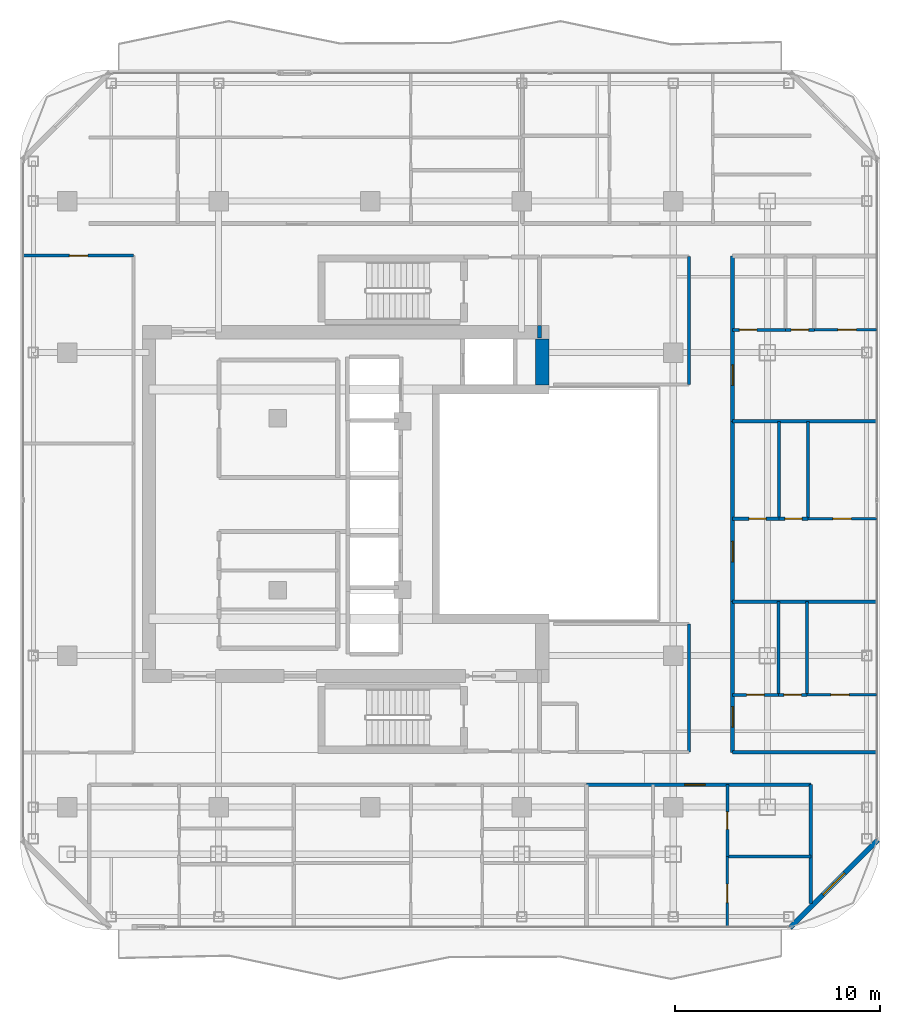
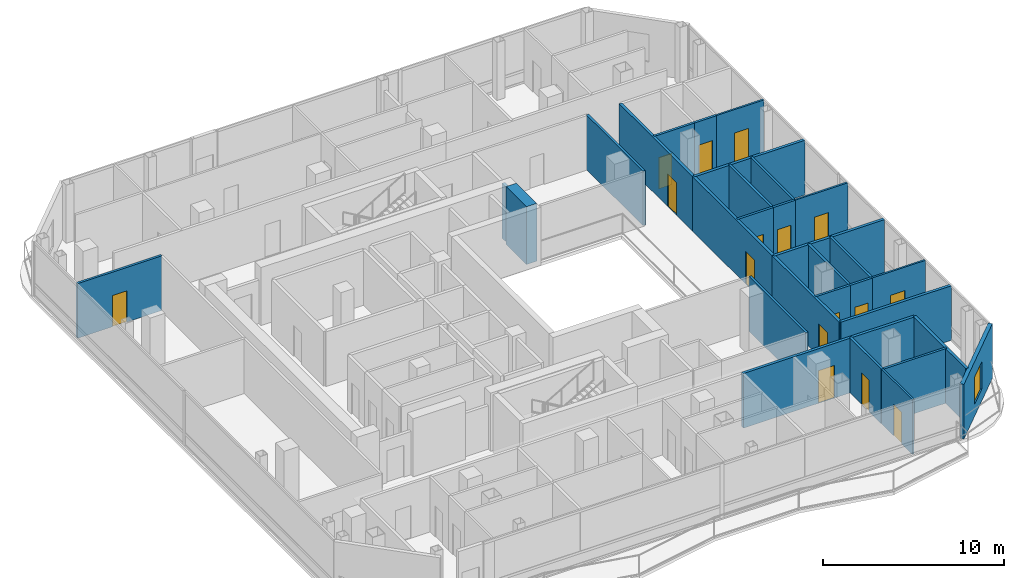
# One storey, part 19 of 24: 30 walls, 16 doors, 1 window, 17 openings.
"""IFC4 building model written with IfcOpenShell, lengths in metres."""

from ifc_helpers import new_model, si_unit, direction, frame, frame_2d, origin, place, context, subcontext, project, spatial, rectangle, extrude, material, layer, layer_set, type_object, element, fill, save


model = new_model("IFC4")

# Units and contexts
model_context = context("Model", 3, precision=1e-05, world=origin(), true_north=direction((0.0, 1.0)))
body_context = subcontext(model_context, "Body", "Model", "MODEL_VIEW")
ifc_project = project(units=[si_unit("LENGTHUNIT", "METRE"), si_unit("AREAUNIT", "SQUARE_METRE"), si_unit("VOLUMEUNIT", "CUBIC_METRE"), si_unit("PLANEANGLEUNIT", "RADIAN"), si_unit("MASSUNIT", "GRAM", prefix="KILO")], contexts=[model_context])

# Site, building, storey
site_placement = place(None, origin())
site = spatial("IfcSite", under=ifc_project, at=site_placement, CompositionType="ELEMENT")
building_placement = place(site_placement, origin())
building = spatial("IfcBuilding", under=site, at=building_placement, Name="Khorvyn Point Tower", CompositionType="ELEMENT")
storey_placement = place(building_placement, frame((0.0, 0.0, 266.39990234375)))
storey = spatial("IfcBuildingStorey", under=building, at=storey_placement, Name="L65", CompositionType="ELEMENT", Elevation=266.39990234375)

# Wall, opening, door
ifc_material_1 = material(Name="Double acoustic gypsum on twin steel stud", Category="steel")
ifc_layer_1 = layer(ifc_material_1, 0.179931640625)
ifc_layer_set_1 = layer_set([ifc_layer_1], Name="Acoustic Double-Stud Apartment Demising Wall 180")
wall_type_1 = type_object("IfcWallType", Name="Acoustic Double-Stud Apartment Demising Wall 180", PredefinedType="PARTITIONING", material=ifc_layer_set_1)
wall_1_placement = place(storey_placement, frame((10.56591796875, -13.699951171875, 0.0), z_axis=(0.0, 0.0, 1.0), x_axis=(1.0, 0.0, 0.0)))
wall_1 = element("IfcWall", 1, at=wall_1_placement, inside=storey, type_object=wall_type_1, Name="Wall", PredefinedType="PARTITIONING", context=body_context, shape_type="SweptSolid", body=[
    extrude(rectangle(XDim=10.9541015625, YDim=0.179931640625, at=frame_2d((5.47705078125, 0.0))), origin(), (0.0, 0.0, 1.0), 3.68017578125),
])
opening_1_placement = place(wall_1_placement, frame((4.798583984375, 0.0, 0.0)))
opening_1 = element("IfcOpeningElement", 2, at=opening_1_placement, cuts=wall_1, Name="Opening ID-AP60", PredefinedType="OPENING", context=body_context, shape_type="SweptSolid", body=[
    extrude(rectangle(XDim=1.0, YDim=2.199951171875, at=frame_2d((0.5, 1.10009765625))), frame((0.0, 0.099853515625, 0.0), z_axis=(0.0, -1.0, 0.0), x_axis=(1.0, 0.0, 0.0)), (0.0, 0.0, 1.0), 0.199951171875),
])
ifc_material_2 = material(Name="Engineered hardwood fire-rated leaf", Category="wood")
door_type_1 = type_object("IfcDoorType", Name="Acoustic Solid-Core Timber Apartment Entrance Door 1000x2200", OperationType="NOTDEFINED", PredefinedType="DOOR", material=ifc_material_2)
door_1_placement = place(opening_1_placement, origin())
door_1 = element("IfcDoor", 3, at=door_1_placement, inside=storey, type_object=door_type_1, Name="Door", OperationType="SINGLE_SWING_RIGHT", OverallHeight=2.199951171875, OverallWidth=1.0, PredefinedType="DOOR", context=body_context, shape_type="SweptSolid", body=[
    extrude(rectangle(XDim=1.0, YDim=2.199951171875, at=frame_2d((0.5, 1.10009765625))), frame((0.0, 0.02490234375, 0.0), z_axis=(0.0, -1.0, 0.0), x_axis=(1.0, 0.0, 0.0)), (0.0, 0.0, 1.0), 0.050048828125),
])
fill(opening_1, door_1)

wall_2_placement = place(storey_placement, frame((17.699951171875, -12.1201171875, 0.0), z_axis=(0.0, 0.0, 1.0), x_axis=(0.0, 1.0, 0.0)))
wall_2 = element("IfcWall", 4, at=wall_2_placement, inside=storey, type_object=wall_type_1, Name="Wall", PredefinedType="PARTITIONING", context=body_context, shape_type="SweptSolid", body=[
    extrude(rectangle(XDim=7.35302734375, YDim=0.179931640625, at=frame_2d((3.676513671875, 0.0))), origin(), (0.0, 0.0, 1.0), 3.68017578125),
])
opening_2_placement = place(wall_2_placement, frame((1.224609375, 0.0, 0.0)))
opening_2 = element("IfcOpeningElement", 5, at=opening_2_placement, cuts=wall_2, Name="Opening ID-AP60", PredefinedType="OPENING", context=body_context, shape_type="SweptSolid", body=[
    extrude(rectangle(XDim=1.0, YDim=2.199951171875, at=frame_2d((0.5, 1.10009765625))), frame((0.0, 0.099853515625, 0.0), z_axis=(0.0, -1.0, 0.0), x_axis=(1.0, 0.0, 0.0)), (0.0, 0.0, 1.0), 0.199951171875),
])
door_2_placement = place(opening_2_placement, origin())
door_2 = element("IfcDoor", 6, at=door_2_placement, inside=storey, type_object=door_type_1, Name="Door", OperationType="SINGLE_SWING_LEFT", OverallHeight=2.199951171875, OverallWidth=1.0, PredefinedType="DOOR", context=body_context, shape_type="SweptSolid", body=[
    extrude(rectangle(XDim=1.0, YDim=2.199951171875, at=frame_2d((0.5, 1.10009765625))), frame((0.0, 0.02490234375, 0.0), z_axis=(0.0, -1.0, 0.0), x_axis=(1.0, 0.0, 0.0)), (0.0, 0.0, 1.0), 0.050048828125),
])
fill(opening_2, door_2)

wall_3_placement = place(storey_placement, frame((17.699951171875, -4.76708984375, 0.0), z_axis=(0.0, 0.0, 1.0), x_axis=(0.0, 1.0, 0.0)))
wall_3 = element("IfcWall", 7, at=wall_3_placement, inside=storey, type_object=wall_type_1, Name="Wall", PredefinedType="PARTITIONING", context=body_context, shape_type="SweptSolid", body=[
    extrude(rectangle(XDim=8.80712890625, YDim=0.179931640625, at=frame_2d((4.403564453125, 0.0))), origin(), (0.0, 0.0, 1.0), 3.68017578125),
])
opening_3_placement = place(wall_3_placement, frame((1.942626953125, 0.0, 0.0)))
opening_3 = element("IfcOpeningElement", 8, at=opening_3_placement, cuts=wall_3, Name="Opening ID-AP60", PredefinedType="OPENING", context=body_context, shape_type="SweptSolid", body=[
    extrude(rectangle(XDim=1.0, YDim=2.199951171875, at=frame_2d((0.5, 1.10009765625))), frame((0.0, 0.099853515625, 0.0), z_axis=(0.0, -1.0, 0.0), x_axis=(1.0, 0.0, 0.0)), (0.0, 0.0, 1.0), 0.199951171875),
])
door_3_placement = place(opening_3_placement, origin())
door_3 = element("IfcDoor", 9, at=door_3_placement, inside=storey, type_object=door_type_1, Name="Door", OperationType="SINGLE_SWING_LEFT", OverallHeight=2.199951171875, OverallWidth=1.0, PredefinedType="DOOR", context=body_context, shape_type="SweptSolid", body=[
    extrude(rectangle(XDim=1.0, YDim=2.199951171875, at=frame_2d((0.5, 1.10009765625))), frame((0.0, 0.02490234375, 0.0), z_axis=(0.0, -1.0, 0.0), x_axis=(1.0, 0.0, 0.0)), (0.0, 0.0, 1.0), 0.050048828125),
])
fill(opening_3, door_3)

wall_4_placement = place(storey_placement, frame((17.699951171875, 4.0400390625, 0.0), z_axis=(0.0, 0.0, 1.0), x_axis=(0.0, 1.0, 0.0)))
wall_4 = element("IfcWall", 10, at=wall_4_placement, inside=storey, type_object=wall_type_1, Name="Wall", PredefinedType="PARTITIONING", context=body_context, shape_type="SweptSolid", body=[
    extrude(rectangle(XDim=8.080078125, YDim=0.179931640625, at=frame_2d((4.0400390625, 0.0))), origin(), (0.0, 0.0, 1.0), 3.68017578125),
])
opening_4_placement = place(wall_4_placement, frame((1.760986328125, 0.0, 0.0)))
opening_4 = element("IfcOpeningElement", 11, at=opening_4_placement, cuts=wall_4, Name="Opening ID-AP60", PredefinedType="OPENING", context=body_context, shape_type="SweptSolid", body=[
    extrude(rectangle(XDim=1.0, YDim=2.199951171875, at=frame_2d((0.5, 1.10009765625))), frame((0.0, 0.099853515625, 0.0), z_axis=(0.0, -1.0, 0.0), x_axis=(1.0, 0.0, 0.0)), (0.0, 0.0, 1.0), 0.199951171875),
])
door_4_placement = place(opening_4_placement, origin())
door_4 = element("IfcDoor", 12, at=door_4_placement, inside=storey, type_object=door_type_1, Name="Door", OperationType="SINGLE_SWING_LEFT", OverallHeight=2.199951171875, OverallWidth=1.0, PredefinedType="DOOR", context=body_context, shape_type="SweptSolid", body=[
    extrude(rectangle(XDim=1.0, YDim=2.199951171875, at=frame_2d((0.5, 1.10009765625))), frame((0.0, 0.02490234375, 0.0), z_axis=(0.0, -1.0, 0.0), x_axis=(1.0, 0.0, 0.0)), (0.0, 0.0, 1.0), 0.050048828125),
])
fill(opening_4, door_4)

# Walls
wall_5_placement = place(storey_placement, frame((21.52001953125, -19.510009765625, 0.0), z_axis=(0.0, 0.0, 1.0), x_axis=(0.0, 1.0, 0.0)))
element("IfcWall", 13, at=wall_5_placement, inside=storey, type_object=wall_type_1, Name="Wall", PredefinedType="PARTITIONING", context=body_context, shape_type="SweptSolid", body=[
    extrude(rectangle(XDim=5.81005859375, YDim=0.179931640625, at=frame_2d((2.905029296875, 0.0))), origin(), (0.0, 0.0, 1.0), 3.68017578125),
])
for number, where, z_axis, x_axis, name in (
    (14, (17.699951171875, -4.76708984375, 0.0), (0.0, 0.0, 1.0), (1.0, 0.0, 0.0), "Wall"),
    (15, (17.699951171875, 4.0400390625, 0.0), (0.0, 0.0, 1.0), (1.0, 0.0, 0.0), "Wall"),
    (16, (17.699951171875, -12.1201171875, 0.0), (0.0, 0.0, 1.0), (1.0, 0.0, 0.0), "Wall"),
):
    element("IfcWall", number, at=place(storey_placement, frame(where, z_axis=z_axis, x_axis=x_axis)), inside=storey, type_object=wall_type_1, Name=name, PredefinedType="PARTITIONING", context=body_context, shape_type="SweptSolid", body=[
        extrude(rectangle(XDim=7.030029296875, YDim=0.179931640625, at=frame_2d((3.51513671875, 0.0))), origin(), (0.0, 0.0, 1.0), 3.68017578125),
    ])

# Wall, opening, window
ifc_material_3 = material(Name="Pale anodised aluminium rainscreen on steel stud", Category="steel")
ifc_layer_2 = layer(ifc_material_3, 0.239990234375)
ifc_layer_set_2 = layer_set([ifc_layer_2], Name="Anodised Aluminium Insulated Corner Spandrel Wall 240")
wall_type_2 = type_object("IfcWallType", Name="Anodised Aluminium Insulated Corner Spandrel Wall 240", PredefinedType="SOLIDWALL", material=ifc_layer_set_2)
wall_6_placement = place(storey_placement, frame((24.79248046875, -16.40771484375, 0.0), z_axis=(0.0, 0.0, 1.0), x_axis=(-0.707126925818, -0.707086635981, 0.0)))
wall_6 = element("IfcWall", 17, at=wall_6_placement, inside=storey, type_object=wall_type_2, Name="L65 Rounded Corner Wall SE", PredefinedType="SOLIDWALL", context=body_context, shape_type="SweptSolid", body=[
    extrude(rectangle(XDim=6.0595703125, YDim=0.239990234375, at=frame_2d((3.02978515625, 0.0))), origin(), (0.0, 0.0, 1.0), 3.68017578125),
])
opening_5_placement = place(wall_6_placement, frame((2.27978515625, 0.0, 0.800048828125)))
opening_5 = element("IfcOpeningElement", 18, at=opening_5_placement, cuts=wall_6, Name="Opening WN-1518", PredefinedType="OPENING", context=body_context, shape_type="SweptSolid", body=[
    extrude(rectangle(XDim=1.5, YDim=1.85009765625, at=frame_2d((0.75, 0.925048828125))), frame((0.0, 0.1298828125, 0.0), z_axis=(0.0, -1.0, 0.0), x_axis=(1.0, 0.0, 0.0)), (0.0, 0.0, 1.0), 0.260009765625),
])
ifc_material_4 = material(Name="Anodised aluminium 6063-T6 and laminated Low-E glass", Category="aluminium")
window_type = type_object("IfcWindowType", Name="Anodised Aluminium Rounded-Corner Panoramic Window 1500x1850", PartitioningType="SINGLE_PANEL", PredefinedType="WINDOW", material=ifc_material_4)
window_placement = place(opening_5_placement, origin())
window = element("IfcWindow", 19, at=window_placement, inside=storey, type_object=window_type, Name="L65 Corner Panoramic Window SE", OverallHeight=1.85009765625, OverallWidth=1.5, PartitioningType="SINGLE_PANEL", PredefinedType="WINDOW", context=body_context, shape_type="SweptSolid", body=[
    extrude(rectangle(XDim=1.5, YDim=1.85009765625, at=frame_2d((0.75, 0.925048828125))), frame((0.0, 0.030029296875, 0.0), z_axis=(0.0, -1.0, 0.0), x_axis=(1.0, 0.0, 0.0)), (0.0, 0.0, 1.0), 0.06005859375),
])
fill(opening_5, window)

# Walls
ifc_material_5 = material(Name="Concrete C40/50", Category="concrete")
ifc_layer_3 = layer(ifc_material_5, 0.64990234375)
ifc_layer_set_3 = layer_set([ifc_layer_3], Name="Concrete C40/50 Core Shear Wall 650")
wall_type_3 = type_object("IfcWallType", Name="Concrete C40/50 Core Shear Wall 650", PredefinedType="SHEAR", material=ifc_layer_set_3)
wall_7_placement = place(storey_placement, frame((8.39990234375, 5.824951171875, 0.0), z_axis=(0.0, 0.0, 1.0), x_axis=(0.0, 1.0, 0.0)))
element("IfcWall", 20, at=wall_7_placement, inside=storey, type_object=wall_type_3, Name="Wall", PredefinedType="SHEAR", context=body_context, shape_type="SweptSolid", body=[
    extrude(rectangle(XDim=2.25, YDim=0.64990234375, at=frame_2d((1.125, 0.0))), origin(), (0.0, 0.0, 1.0), 3.900146484375),
])
ifc_layer_4 = layer(ifc_material_5, 0.199951171875)
ifc_layer_set_4 = layer_set([ifc_layer_4], Name="Concrete C40/50 Fire-Lobby Compartment Wall 200")
wall_type_4 = type_object("IfcWallType", Name="Concrete C40/50 Fire-Lobby Compartment Wall 200", PredefinedType="SOLIDWALL", material=ifc_layer_set_4)
wall_8_placement = place(storey_placement, frame((8.280029296875, 8.10009765625, 0.0), z_axis=(0.0, 0.0, 1.0), x_axis=(0.0, 1.0, 0.0)))
element("IfcWall", 21, at=wall_8_placement, inside=storey, type_object=wall_type_4, Name="Wall", PredefinedType="SOLIDWALL", context=body_context, shape_type="SweptSolid", body=[
    extrude(rectangle(XDim=0.625, YDim=0.199951171875, at=frame_2d((0.3125, 0.0))), origin(), (0.0, 0.0, 1.0), 3.68017578125),
])

# Wall, opening, door
ifc_material_6 = material(Name="Gypsum plasterboard on steel stud", Category="steel")
ifc_layer_5 = layer(ifc_material_6, 0.1201171875)
ifc_layer_set_5 = layer_set([ifc_layer_5], Name="Gypsum Acoustic Stud Room Partition Wall 120")
wall_type_5 = type_object("IfcWallType", Name="Gypsum Acoustic Stud Room Partition Wall 120", PredefinedType="PARTITIONING", material=ifc_layer_set_5)
wall_9_placement = place(storey_placement, frame((17.443115234375, -20.6298828125, 0.0), z_axis=(0.0, 0.0, 1.0), x_axis=(0.0, 1.0, 0.0)))
wall_9 = element("IfcWall", 22, at=wall_9_placement, inside=storey, type_object=wall_type_5, Name="Wall", PredefinedType="PARTITIONING", context=body_context, shape_type="SweptSolid", body=[
    extrude(rectangle(XDim=3.410888671875, YDim=0.1201171875, at=frame_2d((1.70556640625, 0.0))), origin(), (0.0, 0.0, 1.0), 3.68017578125),
])
opening_6_placement = place(wall_9_placement, frame((1.171142578125, 0.0, 0.0)))
opening_6 = element("IfcOpeningElement", 23, at=opening_6_placement, cuts=wall_9, Name="Opening ID-RM90", PredefinedType="OPENING", context=body_context, shape_type="SweptSolid", body=[
    extrude(rectangle(XDim=0.89990234375, YDim=2.10009765625, at=frame_2d((0.449951171875, 1.050048828125))), frame((0.0, 0.070068359375, 0.0), z_axis=(0.0, -1.0, 0.0), x_axis=(1.0, 0.0, 0.0)), (0.0, 0.0, 1.0), 0.14013671875),
])
ifc_material_7 = material(Name="Engineered oak veneer timber", Category="wood")
door_type_2 = type_object("IfcDoorType", Name="Flush Engineered Timber Room Door 900x2100", OperationType="NOTDEFINED", PredefinedType="DOOR", material=ifc_material_7)
door_5_placement = place(opening_6_placement, origin())
door_5 = element("IfcDoor", 24, at=door_5_placement, inside=storey, type_object=door_type_2, Name="Door", OperationType="SINGLE_SWING_RIGHT", OverallHeight=2.10009765625, OverallWidth=0.89990234375, PredefinedType="DOOR", context=body_context, shape_type="SweptSolid", body=[
    extrude(rectangle(XDim=0.89990234375, YDim=2.10009765625, at=frame_2d((0.449951171875, 1.050048828125))), frame((0.0, 0.02490234375, 0.0), z_axis=(0.0, -1.0, 0.0), x_axis=(1.0, 0.0, 0.0)), (0.0, 0.0, 1.0), 0.050048828125),
])
fill(opening_6, door_5)

wall_10_placement = place(storey_placement, frame((21.3330078125, -9.320068359375, 0.0), z_axis=(0.0, 0.0, 1.0), x_axis=(1.0, 0.0, 0.0)))
wall_10 = element("IfcWall", 25, at=wall_10_placement, inside=storey, type_object=wall_type_5, Name="Wall", PredefinedType="PARTITIONING", context=body_context, shape_type="SweptSolid", body=[
    extrude(rectangle(XDim=3.39697265625, YDim=0.1201171875, at=frame_2d((1.698486328125, 0.0))), origin(), (0.0, 0.0, 1.0), 3.68017578125),
])
opening_7_placement = place(wall_10_placement, frame((1.164794921875, 0.0, 0.0)))
opening_7 = element("IfcOpeningElement", 26, at=opening_7_placement, cuts=wall_10, Name="Opening ID-RM90", PredefinedType="OPENING", context=body_context, shape_type="SweptSolid", body=[
    extrude(rectangle(XDim=0.89990234375, YDim=2.10009765625, at=frame_2d((0.449951171875, 1.050048828125))), frame((0.0, 0.070068359375, 0.0), z_axis=(0.0, -1.0, 0.0), x_axis=(1.0, 0.0, 0.0)), (0.0, 0.0, 1.0), 0.14013671875),
])
door_6_placement = place(opening_7_placement, origin())
door_6 = element("IfcDoor", 27, at=door_6_placement, inside=storey, type_object=door_type_2, Name="Door", OperationType="SINGLE_SWING_RIGHT", OverallHeight=2.10009765625, OverallWidth=0.89990234375, PredefinedType="DOOR", context=body_context, shape_type="SweptSolid", body=[
    extrude(rectangle(XDim=0.89990234375, YDim=2.10009765625, at=frame_2d((0.449951171875, 1.050048828125))), frame((0.0, 0.02490234375, 0.0), z_axis=(0.0, -1.0, 0.0), x_axis=(1.0, 0.0, 0.0)), (0.0, 0.0, 1.0), 0.050048828125),
])
fill(opening_7, door_6)

wall_11_placement = place(storey_placement, frame((21.376953125, -0.716064453125, 0.0), z_axis=(0.0, 0.0, 1.0), x_axis=(1.0, 0.0, 0.0)))
wall_11 = element("IfcWall", 28, at=wall_11_placement, inside=storey, type_object=wall_type_5, Name="Wall", PredefinedType="PARTITIONING", context=body_context, shape_type="SweptSolid", body=[
    extrude(rectangle(XDim=3.35302734375, YDim=0.1201171875, at=frame_2d((1.676513671875, 0.0))), origin(), (0.0, 0.0, 1.0), 3.68017578125),
])
opening_8_placement = place(wall_11_placement, frame((1.2265625, 0.0, 0.0)))
opening_8 = element("IfcOpeningElement", 29, at=opening_8_placement, cuts=wall_11, Name="Opening ID-RM90", PredefinedType="OPENING", context=body_context, shape_type="SweptSolid", body=[
    extrude(rectangle(XDim=0.89990234375, YDim=2.10009765625, at=frame_2d((0.449951171875, 1.050048828125))), frame((0.0, 0.070068359375, 0.0), z_axis=(0.0, -1.0, 0.0), x_axis=(1.0, 0.0, 0.0)), (0.0, 0.0, 1.0), 0.14013671875),
])
door_7_placement = place(opening_8_placement, origin())
door_7 = element("IfcDoor", 30, at=door_7_placement, inside=storey, type_object=door_type_2, Name="Door", OperationType="SINGLE_SWING_RIGHT", OverallHeight=2.10009765625, OverallWidth=0.89990234375, PredefinedType="DOOR", context=body_context, shape_type="SweptSolid", body=[
    extrude(rectangle(XDim=0.89990234375, YDim=2.10009765625, at=frame_2d((0.449951171875, 1.050048828125))), frame((0.0, 0.02490234375, 0.0), z_axis=(0.0, -1.0, 0.0), x_axis=(1.0, 0.0, 0.0)), (0.0, 0.0, 1.0), 0.050048828125),
])
fill(opening_8, door_7)

wall_12_placement = place(storey_placement, frame((21.68994140625, 8.5048828125, 0.0), z_axis=(0.0, 0.0, 1.0), x_axis=(1.0, 0.0, 0.0)))
wall_12 = element("IfcWall", 31, at=wall_12_placement, inside=storey, type_object=wall_type_5, Name="Wall", PredefinedType="PARTITIONING", context=body_context, shape_type="SweptSolid", body=[
    extrude(rectangle(XDim=3.0400390625, YDim=0.1201171875, at=frame_2d((1.52001953125, 0.0))), origin(), (0.0, 0.0, 1.0), 3.68017578125),
])
opening_9_placement = place(wall_12_placement, frame((1.152587890625, 0.0, 0.0)))
opening_9 = element("IfcOpeningElement", 32, at=opening_9_placement, cuts=wall_12, Name="Opening ID-RM90", PredefinedType="OPENING", context=body_context, shape_type="SweptSolid", body=[
    extrude(rectangle(XDim=0.89990234375, YDim=2.10009765625, at=frame_2d((0.449951171875, 1.050048828125))), frame((0.0, 0.070068359375, 0.0), z_axis=(0.0, -1.0, 0.0), x_axis=(1.0, 0.0, 0.0)), (0.0, 0.0, 1.0), 0.14013671875),
])
door_8_placement = place(opening_9_placement, origin())
door_8 = element("IfcDoor", 33, at=door_8_placement, inside=storey, type_object=door_type_2, Name="Door", OperationType="SINGLE_SWING_RIGHT", OverallHeight=2.10009765625, OverallWidth=0.89990234375, PredefinedType="DOOR", context=body_context, shape_type="SweptSolid", body=[
    extrude(rectangle(XDim=0.89990234375, YDim=2.10009765625, at=frame_2d((0.449951171875, 1.050048828125))), frame((0.0, 0.02490234375, 0.0), z_axis=(0.0, -1.0, 0.0), x_axis=(1.0, 0.0, 0.0)), (0.0, 0.0, 1.0), 0.050048828125),
])
fill(opening_9, door_8)

ifc_material_8 = material(Name="Moisture-resistant gypsum and cement board", Category="gypsum")
ifc_layer_6 = layer(ifc_material_8, 0.14990234375)
ifc_layer_set_6 = layer_set([ifc_layer_6], Name="Moisture-Resistant Wet-Room Partition Wall 150")
wall_type_6 = type_object("IfcWallType", Name="Moisture-Resistant Wet-Room Partition Wall 150", PredefinedType="PARTITIONING", material=ifc_layer_set_6)
wall_13_placement = place(storey_placement, frame((17.443115234375, -17.218994140625, 0.0), z_axis=(0.0, 0.0, 1.0), x_axis=(0.0, 1.0, 0.0)))
wall_13 = element("IfcWall", 34, at=wall_13_placement, inside=storey, type_object=wall_type_6, Name="Wall", PredefinedType="PARTITIONING", context=body_context, shape_type="SweptSolid", body=[
    extrude(rectangle(XDim=3.51904296875, YDim=0.14990234375, at=frame_2d((1.759521484375, 0.0))), origin(), (0.0, 0.0, 1.0), 3.68017578125),
])
opening_10_placement = place(wall_13_placement, frame((1.33447265625, 0.0, 0.0)))
opening_10 = element("IfcOpeningElement", 35, at=opening_10_placement, cuts=wall_13, Name="Opening ID-WC85", PredefinedType="OPENING", context=body_context, shape_type="SweptSolid", body=[
    extrude(rectangle(XDim=0.85009765625, YDim=2.10009765625, at=frame_2d((0.425048828125, 1.050048828125))), frame((0.0, 0.0849609375, 0.0), z_axis=(0.0, -1.0, 0.0), x_axis=(1.0, 0.0, 0.0)), (0.0, 0.0, 1.0), 0.169921875),
])
ifc_material_9 = material(Name="High-pressure laminate on moisture-resistant core", Category="wood")
door_type_3 = type_object("IfcDoorType", Name="Moisture-Resistant Accessible Washroom Door 850x2100", OperationType="NOTDEFINED", PredefinedType="DOOR", material=ifc_material_9)
door_9_placement = place(opening_10_placement, origin())
door_9 = element("IfcDoor", 36, at=door_9_placement, inside=storey, type_object=door_type_3, Name="Door", OperationType="SINGLE_SWING_LEFT", OverallHeight=2.10009765625, OverallWidth=0.85009765625, PredefinedType="DOOR", context=body_context, shape_type="SweptSolid", body=[
    extrude(rectangle(XDim=0.85009765625, YDim=2.10009765625, at=frame_2d((0.425048828125, 1.050048828125))), frame((0.0, 0.02490234375, 0.0), z_axis=(0.0, -1.0, 0.0), x_axis=(1.0, 0.0, 0.0)), (0.0, 0.0, 1.0), 0.050048828125),
])
fill(opening_10, door_9)

wall_14_placement = place(storey_placement, frame((-16.929931640625, 12.139892578125, 0.0), z_axis=(0.0, 0.0, 1.0), x_axis=(1.0, 0.0, 0.0)))
wall_14 = element("IfcWall", 37, at=wall_14_placement, inside=storey, type_object=wall_type_6, Name="Wall", PredefinedType="PARTITIONING", context=body_context, shape_type="SweptSolid", body=[
    extrude(rectangle(XDim=5.3798828125, YDim=0.14990234375, at=frame_2d((2.68994140625, 0.0))), origin(), (0.0, 0.0, 1.0), 3.68017578125),
])
opening_11_placement = place(wall_14_placement, frame((2.239990234375, 0.0, 0.0)))
opening_11 = element("IfcOpeningElement", 38, at=opening_11_placement, cuts=wall_14, Name="Opening ID-RM90", PredefinedType="OPENING", context=body_context, shape_type="SweptSolid", body=[
    extrude(rectangle(XDim=0.89990234375, YDim=2.10009765625, at=frame_2d((0.449951171875, 1.050048828125))), frame((0.0, 0.0849609375, 0.0), z_axis=(0.0, -1.0, 0.0), x_axis=(1.0, 0.0, 0.0)), (0.0, 0.0, 1.0), 0.169921875),
])
door_10_placement = place(opening_11_placement, origin())
door_10 = element("IfcDoor", 39, at=door_10_placement, inside=storey, type_object=door_type_2, Name="Door", OperationType="SINGLE_SWING_RIGHT", OverallHeight=2.10009765625, OverallWidth=0.89990234375, PredefinedType="DOOR", context=body_context, shape_type="SweptSolid", body=[
    extrude(rectangle(XDim=0.89990234375, YDim=2.10009765625, at=frame_2d((0.449951171875, 1.050048828125))), frame((0.0, 0.02490234375, 0.0), z_axis=(0.0, -1.0, 0.0), x_axis=(1.0, 0.0, 0.0)), (0.0, 0.0, 1.0), 0.050048828125),
])
fill(opening_11, door_10)

wall_15_placement = place(storey_placement, frame((17.699951171875, -9.320068359375, 0.0), z_axis=(0.0, 0.0, 1.0), x_axis=(1.0, 0.0, 0.0)))
wall_15 = element("IfcWall", 40, at=wall_15_placement, inside=storey, type_object=wall_type_6, Name="Wall", PredefinedType="PARTITIONING", context=body_context, shape_type="SweptSolid", body=[
    extrude(rectangle(XDim=2.233154296875, YDim=0.14990234375, at=frame_2d((1.11669921875, 0.0))), origin(), (0.0, 0.0, 1.0), 3.68017578125),
])
opening_12_placement = place(wall_15_placement, frame((0.69140625, 0.0, 0.0)))
opening_12 = element("IfcOpeningElement", 41, at=opening_12_placement, cuts=wall_15, Name="Opening ID-WC85", PredefinedType="OPENING", context=body_context, shape_type="SweptSolid", body=[
    extrude(rectangle(XDim=0.85009765625, YDim=2.10009765625, at=frame_2d((0.425048828125, 1.050048828125))), frame((0.0, 0.0849609375, 0.0), z_axis=(0.0, -1.0, 0.0), x_axis=(1.0, 0.0, 0.0)), (0.0, 0.0, 1.0), 0.169921875),
])
door_11_placement = place(opening_12_placement, origin())
door_11 = element("IfcDoor", 42, at=door_11_placement, inside=storey, type_object=door_type_3, Name="Door", OperationType="SINGLE_SWING_RIGHT", OverallHeight=2.10009765625, OverallWidth=0.85009765625, PredefinedType="DOOR", context=body_context, shape_type="SweptSolid", body=[
    extrude(rectangle(XDim=0.85009765625, YDim=2.10009765625, at=frame_2d((0.425048828125, 1.050048828125))), frame((0.0, 0.02490234375, 0.0), z_axis=(0.0, -1.0, 0.0), x_axis=(1.0, 0.0, 0.0)), (0.0, 0.0, 1.0), 0.050048828125),
])
fill(opening_12, door_11)

wall_16_placement = place(storey_placement, frame((19.93310546875, -9.320068359375, 0.0), z_axis=(0.0, 0.0, 1.0), x_axis=(1.0, 0.0, 0.0)))
wall_16 = element("IfcWall", 43, at=wall_16_placement, inside=storey, type_object=wall_type_6, Name="Wall", PredefinedType="PARTITIONING", context=body_context, shape_type="SweptSolid", body=[
    extrude(rectangle(XDim=1.39990234375, YDim=0.14990234375, at=frame_2d((0.699951171875, 0.0))), origin(), (0.0, 0.0, 1.0), 3.68017578125),
])
opening_13_placement = place(wall_16_placement, frame((0.27490234375, 0.0, 0.0)))
opening_13 = element("IfcOpeningElement", 44, at=opening_13_placement, cuts=wall_16, Name="Opening ID-WC85", PredefinedType="OPENING", context=body_context, shape_type="SweptSolid", body=[
    extrude(rectangle(XDim=0.85009765625, YDim=2.10009765625, at=frame_2d((0.425048828125, 1.050048828125))), frame((0.0, 0.0849609375, 0.0), z_axis=(0.0, -1.0, 0.0), x_axis=(1.0, 0.0, 0.0)), (0.0, 0.0, 1.0), 0.169921875),
])
door_12_placement = place(opening_13_placement, origin())
door_12 = element("IfcDoor", 45, at=door_12_placement, inside=storey, type_object=door_type_3, Name="Door", OperationType="SINGLE_SWING_LEFT", OverallHeight=2.10009765625, OverallWidth=0.85009765625, PredefinedType="DOOR", context=body_context, shape_type="SweptSolid", body=[
    extrude(rectangle(XDim=0.85009765625, YDim=2.10009765625, at=frame_2d((0.425048828125, 1.050048828125))), frame((0.0, 0.02490234375, 0.0), z_axis=(0.0, -1.0, 0.0), x_axis=(1.0, 0.0, 0.0)), (0.0, 0.0, 1.0), 0.050048828125),
])
fill(opening_13, door_12)

wall_17_placement = place(storey_placement, frame((17.699951171875, -0.716064453125, 0.0), z_axis=(0.0, 0.0, 1.0), x_axis=(1.0, 0.0, 0.0)))
wall_17 = element("IfcWall", 46, at=wall_17_placement, inside=storey, type_object=wall_type_6, Name="Wall", PredefinedType="PARTITIONING", context=body_context, shape_type="SweptSolid", body=[
    extrude(rectangle(XDim=2.277099609375, YDim=0.14990234375, at=frame_2d((1.138671875, 0.0))), origin(), (0.0, 0.0, 1.0), 3.68017578125),
])
opening_14_placement = place(wall_17_placement, frame((0.79248046875, 0.0, 0.0)))
opening_14 = element("IfcOpeningElement", 47, at=opening_14_placement, cuts=wall_17, Name="Opening ID-WC85", PredefinedType="OPENING", context=body_context, shape_type="SweptSolid", body=[
    extrude(rectangle(XDim=0.85009765625, YDim=2.10009765625, at=frame_2d((0.425048828125, 1.050048828125))), frame((0.0, 0.0849609375, 0.0), z_axis=(0.0, -1.0, 0.0), x_axis=(1.0, 0.0, 0.0)), (0.0, 0.0, 1.0), 0.169921875),
])
door_13_placement = place(opening_14_placement, origin())
door_13 = element("IfcDoor", 48, at=door_13_placement, inside=storey, type_object=door_type_3, Name="Door", OperationType="SINGLE_SWING_RIGHT", OverallHeight=2.10009765625, OverallWidth=0.85009765625, PredefinedType="DOOR", context=body_context, shape_type="SweptSolid", body=[
    extrude(rectangle(XDim=0.85009765625, YDim=2.10009765625, at=frame_2d((0.425048828125, 1.050048828125))), frame((0.0, 0.02490234375, 0.0), z_axis=(0.0, -1.0, 0.0), x_axis=(1.0, 0.0, 0.0)), (0.0, 0.0, 1.0), 0.050048828125),
])
fill(opening_14, door_13)

wall_18_placement = place(storey_placement, frame((19.97705078125, -0.716064453125, 0.0), z_axis=(0.0, 0.0, 1.0), x_axis=(1.0, 0.0, 0.0)))
wall_18 = element("IfcWall", 49, at=wall_18_placement, inside=storey, type_object=wall_type_6, Name="Wall", PredefinedType="PARTITIONING", context=body_context, shape_type="SweptSolid", body=[
    extrude(rectangle(XDim=1.39990234375, YDim=0.14990234375, at=frame_2d((0.699951171875, 0.0))), origin(), (0.0, 0.0, 1.0), 3.68017578125),
])
opening_15_placement = place(wall_18_placement, frame((0.27490234375, 0.0, 0.0)))
opening_15 = element("IfcOpeningElement", 50, at=opening_15_placement, cuts=wall_18, Name="Opening ID-WC85", PredefinedType="OPENING", context=body_context, shape_type="SweptSolid", body=[
    extrude(rectangle(XDim=0.85009765625, YDim=2.10009765625, at=frame_2d((0.425048828125, 1.050048828125))), frame((0.0, 0.0849609375, 0.0), z_axis=(0.0, -1.0, 0.0), x_axis=(1.0, 0.0, 0.0)), (0.0, 0.0, 1.0), 0.169921875),
])
door_14_placement = place(opening_15_placement, origin())
door_14 = element("IfcDoor", 51, at=door_14_placement, inside=storey, type_object=door_type_3, Name="Door", OperationType="SINGLE_SWING_LEFT", OverallHeight=2.10009765625, OverallWidth=0.85009765625, PredefinedType="DOOR", context=body_context, shape_type="SweptSolid", body=[
    extrude(rectangle(XDim=0.85009765625, YDim=2.10009765625, at=frame_2d((0.425048828125, 1.050048828125))), frame((0.0, 0.02490234375, 0.0), z_axis=(0.0, -1.0, 0.0), x_axis=(1.0, 0.0, 0.0)), (0.0, 0.0, 1.0), 0.050048828125),
])
fill(opening_15, door_14)

wall_19_placement = place(storey_placement, frame((17.699951171875, 8.5048828125, 0.0), z_axis=(0.0, 0.0, 1.0), x_axis=(1.0, 0.0, 0.0)))
wall_19 = element("IfcWall", 52, at=wall_19_placement, inside=storey, type_object=wall_type_6, Name="Wall", PredefinedType="PARTITIONING", context=body_context, shape_type="SweptSolid", body=[
    extrude(rectangle(XDim=2.590087890625, YDim=0.14990234375, at=frame_2d((1.294921875, 0.0))), origin(), (0.0, 0.0, 1.0), 3.68017578125),
])
opening_16_placement = place(wall_19_placement, frame((0.33740234375, 0.0, 0.0)))
opening_16 = element("IfcOpeningElement", 53, at=opening_16_placement, cuts=wall_19, Name="Opening ID-WC85", PredefinedType="OPENING", context=body_context, shape_type="SweptSolid", body=[
    extrude(rectangle(XDim=0.85009765625, YDim=2.10009765625, at=frame_2d((0.425048828125, 1.050048828125))), frame((0.0, 0.0849609375, 0.0), z_axis=(0.0, -1.0, 0.0), x_axis=(1.0, 0.0, 0.0)), (0.0, 0.0, 1.0), 0.169921875),
])
door_15_placement = place(opening_16_placement, origin())
door_15 = element("IfcDoor", 54, at=door_15_placement, inside=storey, type_object=door_type_3, Name="Door", OperationType="SINGLE_SWING_RIGHT", OverallHeight=2.10009765625, OverallWidth=0.85009765625, PredefinedType="DOOR", context=body_context, shape_type="SweptSolid", body=[
    extrude(rectangle(XDim=0.85009765625, YDim=2.10009765625, at=frame_2d((0.425048828125, 1.050048828125))), frame((0.0, 0.02490234375, 0.0), z_axis=(0.0, -1.0, 0.0), x_axis=(1.0, 0.0, 0.0)), (0.0, 0.0, 1.0), 0.050048828125),
])
fill(opening_16, door_15)

wall_20_placement = place(storey_placement, frame((20.2900390625, 8.5048828125, 0.0), z_axis=(0.0, 0.0, 1.0), x_axis=(1.0, 0.0, 0.0)))
wall_20 = element("IfcWall", 55, at=wall_20_placement, inside=storey, type_object=wall_type_6, Name="Wall", PredefinedType="PARTITIONING", context=body_context, shape_type="SweptSolid", body=[
    extrude(rectangle(XDim=1.39990234375, YDim=0.14990234375, at=frame_2d((0.699951171875, 0.0))), origin(), (0.0, 0.0, 1.0), 3.68017578125),
])
opening_17_placement = place(wall_20_placement, frame((0.27490234375, 0.0, 0.0)))
opening_17 = element("IfcOpeningElement", 56, at=opening_17_placement, cuts=wall_20, Name="Opening ID-WC85", PredefinedType="OPENING", context=body_context, shape_type="SweptSolid", body=[
    extrude(rectangle(XDim=0.85009765625, YDim=2.10009765625, at=frame_2d((0.425048828125, 1.050048828125))), frame((0.0, 0.0849609375, 0.0), z_axis=(0.0, -1.0, 0.0), x_axis=(1.0, 0.0, 0.0)), (0.0, 0.0, 1.0), 0.169921875),
])
door_16_placement = place(opening_17_placement, origin())
door_16 = element("IfcDoor", 57, at=door_16_placement, inside=storey, type_object=door_type_3, Name="Door", OperationType="SINGLE_SWING_LEFT", OverallHeight=2.10009765625, OverallWidth=0.85009765625, PredefinedType="DOOR", context=body_context, shape_type="SweptSolid", body=[
    extrude(rectangle(XDim=0.85009765625, YDim=2.10009765625, at=frame_2d((0.425048828125, 1.050048828125))), frame((0.0, 0.02490234375, 0.0), z_axis=(0.0, -1.0, 0.0), x_axis=(1.0, 0.0, 0.0)), (0.0, 0.0, 1.0), 0.050048828125),
])
fill(opening_17, door_16)

# Walls
for number, where, z_axis, x_axis, name in (
    (58, (15.580078125, -12.10009765625, 0.0), (0.0, 0.0, 1.0), (0.0, 1.0, 0.0), "Wall"),
    (59, (15.580078125, 5.85009765625, 0.0), (0.0, 0.0, 1.0), (0.0, 1.0, 0.0), "Wall"),
):
    element("IfcWall", number, at=place(storey_placement, frame(where, z_axis=z_axis, x_axis=x_axis)), inside=storey, type_object=wall_type_6, Name=name, PredefinedType="PARTITIONING", context=body_context, shape_type="SweptSolid", body=[
        extrude(rectangle(XDim=6.25, YDim=0.14990234375, at=frame_2d((3.125, 0.0))), origin(), (0.0, 0.0, 1.0), 3.68017578125),
    ])
wall_21_placement = place(storey_placement, frame((17.443115234375, -17.218994140625, 0.0), z_axis=(0.0, 0.0, 1.0), x_axis=(1.0, 0.0, 0.0)))
element("IfcWall", 60, at=wall_21_placement, inside=storey, type_object=wall_type_6, Name="Wall", PredefinedType="PARTITIONING", context=body_context, shape_type="SweptSolid", body=[
    extrude(rectangle(XDim=4.076904296875, YDim=0.14990234375, at=frame_2d((2.03857421875, 0.0))), origin(), (0.0, 0.0, 1.0), 3.68017578125),
])
for number, where, z_axis, x_axis, name in (
    (61, (19.93310546875, -9.320068359375, 0.0), (0.0, 0.0, 1.0), (0.0, 1.0, 0.0), "Wall"),
    (62, (21.3330078125, -9.320068359375, 0.0), (0.0, 0.0, 1.0), (0.0, 1.0, 0.0), "Wall"),
):
    element("IfcWall", number, at=place(storey_placement, frame(where, z_axis=z_axis, x_axis=x_axis)), inside=storey, type_object=wall_type_6, Name=name, PredefinedType="PARTITIONING", context=body_context, shape_type="SweptSolid", body=[
        extrude(rectangle(XDim=4.552978515625, YDim=0.14990234375, at=frame_2d((2.2763671875, 0.0))), origin(), (0.0, 0.0, 1.0), 3.68017578125),
    ])
for number, where, z_axis, x_axis, name in (
    (63, (19.97705078125, -0.716064453125, 0.0), (0.0, 0.0, 1.0), (0.0, 1.0, 0.0), "Wall"),
    (64, (21.376953125, -0.716064453125, 0.0), (0.0, 0.0, 1.0), (0.0, 1.0, 0.0), "Wall"),
):
    element("IfcWall", number, at=place(storey_placement, frame(where, z_axis=z_axis, x_axis=x_axis)), inside=storey, type_object=wall_type_6, Name=name, PredefinedType="PARTITIONING", context=body_context, shape_type="SweptSolid", body=[
        extrude(rectangle(XDim=4.756103515625, YDim=0.14990234375, at=frame_2d((2.3779296875, 0.0))), origin(), (0.0, 0.0, 1.0), 3.68017578125),
    ])

save(model, "model.ifc")
